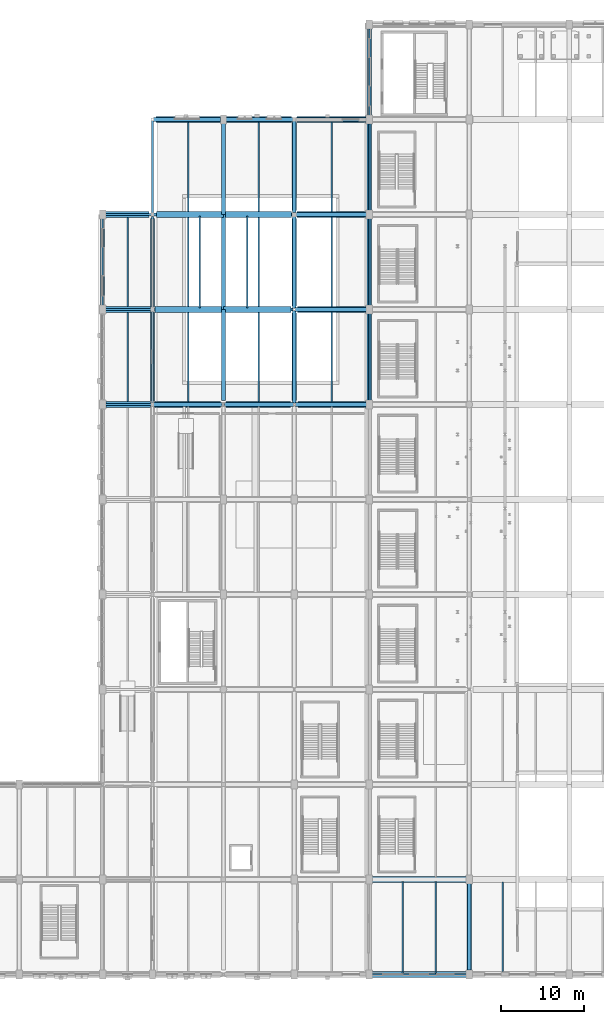
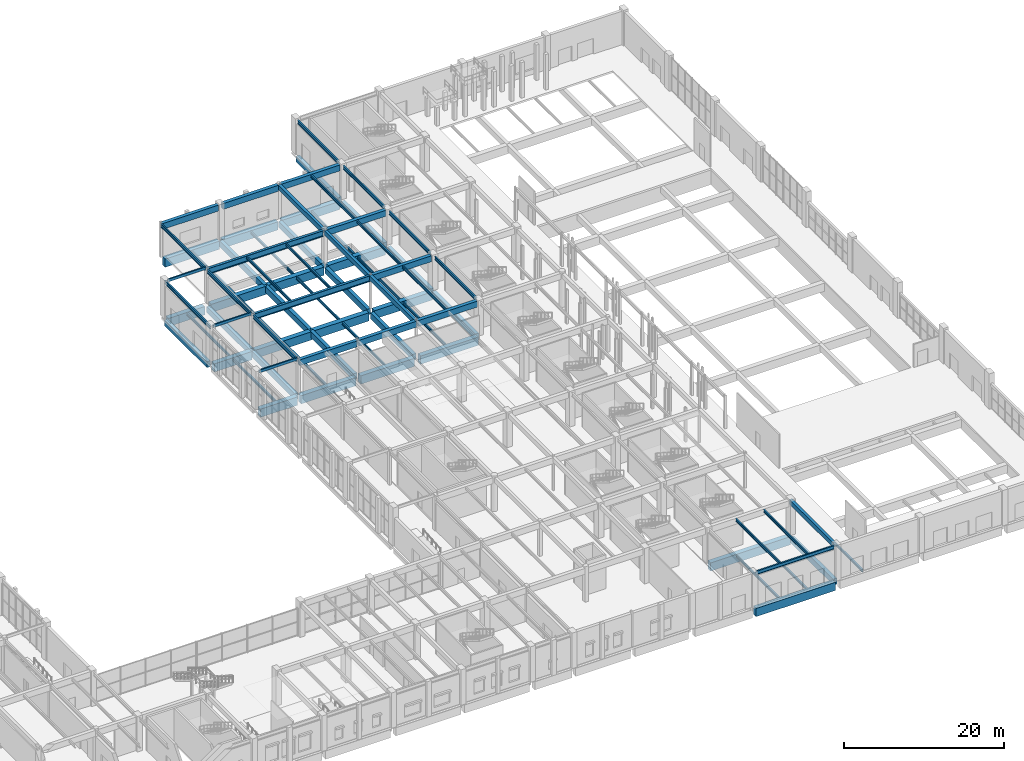
# One storey, part 56 of 113: 78 beams.
"""IFC4 building model written with IfcOpenShell, lengths in metres."""

from ifc_helpers import new_model, si_unit, direction, frame, origin, origin_2d, place, context, subcontext, project, spatial, rectangle, hollow_rectangle, i_section, extrude, material, material_profile, profile_set, type_object, element, save


model = new_model("IFC4")

# Units and contexts
model_context = context("Model", 3, precision=1e-05, world=origin(), true_north=direction((0.0, 1.0)))
body_context = subcontext(model_context, "Body", "Model", "MODEL_VIEW")
ifc_project = project(units=[si_unit("LENGTHUNIT", "METRE"), si_unit("AREAUNIT", "SQUARE_METRE"), si_unit("VOLUMEUNIT", "CUBIC_METRE"), si_unit("PLANEANGLEUNIT", "RADIAN"), si_unit("MASSUNIT", "GRAM", prefix="KILO"), si_unit("POWERUNIT", "WATT"), si_unit("THERMODYNAMICTEMPERATUREUNIT", "KELVIN")], contexts=[model_context])

# Site, building, storey
site_placement = place(None, origin())
site = spatial("IfcSite", under=ifc_project, at=site_placement, CompositionType="ELEMENT")
building_placement = place(site_placement, origin())
building = spatial("IfcBuilding", under=site, at=building_placement, Name="Kelmbourne Parkland Aquatics Centre", CompositionType="ELEMENT")
storey_placement = place(building_placement, origin())
storey = spatial("IfcBuildingStorey", under=building, at=storey_placement, Name="L00", CompositionType="ELEMENT", Elevation=0.0)

# Beams
ifc_material_1 = material(Name="Concrete C40/50", Category="concrete")
ifc_material_profile_1 = material_profile(ifc_material_1, rectangle(XDim=0.5, YDim=0.89990234375, at=origin_2d()), Name="RC 500x900")
ifc_profile_set_1 = profile_set([ifc_material_profile_1], Name="Concrete C40/50")
beam_type_1 = type_object("IfcBeamType", Name="BM-G03", PredefinedType="BEAM", material=ifc_profile_set_1)
beam_1_placement = place(storey_placement, frame((96.0, 81.10498046875, -0.72998046875), z_axis=(0.0, 1.0, 0.0), x_axis=(-1.0, 0.0, 0.0)))
element("IfcBeam", 1, at=beam_1_placement, inside=storey, type_object=beam_type_1, Name="Primary girder 11-12 Grid L (L00)", PredefinedType="BEAM", context=body_context, shape_type="SweptSolid", body=[
    extrude(rectangle(XDim=0.5, YDim=0.89990234375, at=origin_2d()), origin(), (0.0, 0.0, 1.0), 10.56494140625),
])
beam_2_placement = place(storey_placement, frame((102.0, 69.60498046875, -0.72998046875), z_axis=(0.0, 1.0, 0.0), x_axis=(-1.0, 0.0, 0.0)))
element("IfcBeam", 2, at=beam_2_placement, inside=storey, type_object=beam_type_1, Name="Primary girder 10-11 Grid M (L00)", PredefinedType="BEAM", context=body_context, shape_type="SweptSolid", body=[
    extrude(rectangle(XDim=0.5, YDim=0.89990234375, at=origin_2d()), origin(), (0.0, 0.0, 1.0), 10.715087890625),
])
beam_3_placement = place(storey_placement, frame((102.0, 80.8798828125, -0.72998046875), z_axis=(0.0, 1.0, 0.0), x_axis=(-1.0, 0.0, 0.0)))
element("IfcBeam", 3, at=beam_3_placement, inside=storey, type_object=beam_type_1, Name="Primary girder 11-12 Grid M (L00)", PredefinedType="BEAM", context=body_context, shape_type="SweptSolid", body=[
    extrude(rectangle(XDim=0.5, YDim=0.89990234375, at=origin_2d()), origin(), (0.0, 0.0, 1.0), 10.6650390625),
])
beam_4_placement = place(storey_placement, frame((110.5, 69.705078125, -0.72998046875), z_axis=(0.0, 1.0, 0.0), x_axis=(-1.0, 0.0, 0.0)))
element("IfcBeam", 4, at=beam_4_placement, inside=storey, type_object=beam_type_1, Name="Primary girder 10-11 Grid N (L00)", PredefinedType="BEAM", context=body_context, shape_type="SweptSolid", body=[
    extrude(rectangle(XDim=0.5, YDim=0.89990234375, at=origin_2d()), origin(), (0.0, 0.0, 1.0), 10.89501953125),
])
beam_5_placement = place(storey_placement, frame((110.5, 80.60009765625, -0.72998046875), z_axis=(0.0, 1.0, 0.0), x_axis=(-1.0, 0.0, 0.0)))
element("IfcBeam", 5, at=beam_5_placement, inside=storey, type_object=beam_type_1, Name="Primary girder 11-12 Grid N (L00)", PredefinedType="BEAM", context=body_context, shape_type="SweptSolid", body=[
    extrude(rectangle(XDim=0.5, YDim=0.89990234375, at=origin_2d()), origin(), (0.0, 0.0, 1.0), 11.39990234375),
])
beam_6_placement = place(storey_placement, frame((110.5, 92.0, -0.72998046875), z_axis=(0.0, 1.0, 0.0), x_axis=(-1.0, 0.0, 0.0)))
element("IfcBeam", 6, at=beam_6_placement, inside=storey, type_object=beam_type_1, Name="Primary girder 12-13 Grid N (L00)", PredefinedType="BEAM", context=body_context, shape_type="SweptSolid", body=[
    extrude(rectangle(XDim=0.5, YDim=0.89990234375, at=origin_2d()), origin(), (0.0, 0.0, 1.0), 11.1201171875),
])
beam_7_placement = place(storey_placement, frame((119.0, 69.655029296875, -0.72998046875), z_axis=(0.0, 1.0, 0.0), x_axis=(-1.0, 0.0, 0.0)))
element("IfcBeam", 7, at=beam_7_placement, inside=storey, type_object=beam_type_1, Name="Primary girder 10-11 Grid O (L00)", PredefinedType="BEAM", context=body_context, shape_type="SweptSolid", body=[
    extrude(rectangle(XDim=0.5, YDim=0.89990234375, at=origin_2d()), origin(), (0.0, 0.0, 1.0), 10.5400390625),
])
beam_8_placement = place(storey_placement, frame((119.0, 81.0048828125, -0.72998046875), z_axis=(0.0, 1.0, 0.0), x_axis=(-1.0, 0.0, 0.0)))
element("IfcBeam", 8, at=beam_8_placement, inside=storey, type_object=beam_type_1, Name="Primary girder 11-12 Grid O (L00)", PredefinedType="BEAM", context=body_context, shape_type="SweptSolid", body=[
    extrude(rectangle(XDim=0.5, YDim=0.89990234375, at=origin_2d()), origin(), (0.0, 0.0, 1.0), 10.490234375),
])
beam_9_placement = place(storey_placement, frame((119.0, 92.5048828125, -0.72998046875), z_axis=(0.0, 1.0, 0.0), x_axis=(-1.0, 0.0, 0.0)))
element("IfcBeam", 9, at=beam_9_placement, inside=storey, type_object=beam_type_1, Name="Primary girder 12-13 Grid O (L00)", PredefinedType="BEAM", context=body_context, shape_type="SweptSolid", body=[
    extrude(rectangle(XDim=0.5, YDim=0.89990234375, at=origin_2d()), origin(), (0.0, 0.0, 1.0), 10.565185546875),
])
beam_10_placement = place(storey_placement, frame((128.0, 69.60498046875, -0.72998046875), z_axis=(0.0, 1.0, 0.0), x_axis=(-1.0, 0.0, 0.0)))
element("IfcBeam", 10, at=beam_10_placement, inside=storey, type_object=beam_type_1, Name="Primary girder 10-11 Grid P (L00)", PredefinedType="BEAM", context=body_context, shape_type="SweptSolid", body=[
    extrude(rectangle(XDim=0.5, YDim=0.89990234375, at=origin_2d()), origin(), (0.0, 0.0, 1.0), 10.715087890625),
])
beam_11_placement = place(storey_placement, frame((128.0, 80.8798828125, -0.72998046875), z_axis=(0.0, 1.0, 0.0), x_axis=(-1.0, 0.0, 0.0)))
element("IfcBeam", 11, at=beam_11_placement, inside=storey, type_object=beam_type_1, Name="Primary girder 11-12 Grid P (L00)", PredefinedType="BEAM", context=body_context, shape_type="SweptSolid", body=[
    extrude(rectangle(XDim=0.5, YDim=0.89990234375, at=origin_2d()), origin(), (0.0, 0.0, 1.0), 10.6650390625),
])
beam_12_placement = place(storey_placement, frame((128.0, 92.455078125, -0.72998046875), z_axis=(0.0, 1.0, 0.0), x_axis=(-1.0, 0.0, 0.0)))
element("IfcBeam", 12, at=beam_12_placement, inside=storey, type_object=beam_type_1, Name="Primary girder 12-13 Grid P (L00)", PredefinedType="BEAM", context=body_context, shape_type="SweptSolid", body=[
    extrude(rectangle(XDim=0.5, YDim=0.89990234375, at=origin_2d()), origin(), (0.0, 0.0, 1.0), 10.5400390625),
])
beam_13_placement = place(storey_placement, frame((128.0, 103.804931640625, -0.72998046875), z_axis=(0.0, 1.0, 0.0), x_axis=(-1.0, 0.0, 0.0)))
element("IfcBeam", 13, at=beam_13_placement, inside=storey, type_object=beam_type_1, Name="Primary girder 13-14 Grid P (L00)", PredefinedType="BEAM", context=body_context, shape_type="SweptSolid", body=[
    extrude(rectangle(XDim=0.5, YDim=0.89990234375, at=origin_2d()), origin(), (0.0, 0.0, 1.0), 10.489990234375),
])
beam_14_placement = place(storey_placement, frame((140.0, 1.1298828125, -0.72998046875), z_axis=(0.0, 1.0, 0.0), x_axis=(-1.0, 0.0, 0.0)))
element("IfcBeam", 14, at=beam_14_placement, inside=storey, type_object=beam_type_1, Name="Primary girder 01-03 Grid Q (L00)", PredefinedType="BEAM", context=body_context, shape_type="SweptSolid", body=[
    extrude(rectangle(XDim=0.5, YDim=0.89990234375, at=origin_2d()), origin(), (0.0, 0.0, 1.0), 10.6650390625),
])
beam_15_placement = place(storey_placement, frame((102.1298828125, 69.199951171875, 4.7099609375), z_axis=(1.0, 0.0, 0.0), x_axis=(0.0, 1.0, 0.0)))
element("IfcBeam", 15, at=beam_15_placement, inside=storey, type_object=beam_type_1, Name="Primary girder M-N Grid 10 (L01)", PredefinedType="BEAM", context=body_context, shape_type="SweptSolid", body=[
    extrude(rectangle(XDim=0.5, YDim=0.89990234375, at=origin_2d()), origin(), (0.0, 0.0, 1.0), 8.215087890625),
])
beam_16_placement = place(storey_placement, frame((110.655029296875, 69.199951171875, 4.7099609375), z_axis=(1.0, 0.0, 0.0), x_axis=(0.0, 1.0, 0.0)))
element("IfcBeam", 16, at=beam_16_placement, inside=storey, type_object=beam_type_1, Name="Primary girder N-O Grid 10 (L01)", PredefinedType="BEAM", context=body_context, shape_type="SweptSolid", body=[
    extrude(rectangle(XDim=0.5, YDim=0.89990234375, at=origin_2d()), origin(), (0.0, 0.0, 1.0), 8.239990234375),
])
beam_17_placement = place(storey_placement, frame((119.10498046875, 69.199951171875, 4.7099609375), z_axis=(1.0, 0.0, 0.0), x_axis=(0.0, 1.0, 0.0)))
element("IfcBeam", 17, at=beam_17_placement, inside=storey, type_object=beam_type_1, Name="Primary girder O-P Grid 10 (L01)", PredefinedType="BEAM", context=body_context, shape_type="SweptSolid", body=[
    extrude(rectangle(XDim=0.5, YDim=0.89990234375, at=origin_2d()), origin(), (0.0, 0.0, 1.0), 8.56494140625),
])
beam_18_placement = place(storey_placement, frame((119.080078125, 80.60009765625, 4.7099609375), z_axis=(1.0, 0.0, 0.0), x_axis=(0.0, 1.0, 0.0)))
element("IfcBeam", 18, at=beam_18_placement, inside=storey, type_object=beam_type_1, Name="Primary girder O-P Grid 11 (L01)", PredefinedType="BEAM", context=body_context, shape_type="SweptSolid", body=[
    extrude(rectangle(XDim=0.5, YDim=0.89990234375, at=origin_2d()), origin(), (0.0, 0.0, 1.0), 8.58984375),
])
beam_19_placement = place(storey_placement, frame((119.22998046875, 92.0, 4.7099609375), z_axis=(1.0, 0.0, 0.0), x_axis=(0.0, 1.0, 0.0)))
element("IfcBeam", 19, at=beam_19_placement, inside=storey, type_object=beam_type_1, Name="Primary girder O-P Grid 12 (L01)", PredefinedType="BEAM", context=body_context, shape_type="SweptSolid", body=[
    extrude(rectangle(XDim=0.5, YDim=0.89990234375, at=origin_2d()), origin(), (0.0, 0.0, 1.0), 8.43994140625),
])
beam_20_placement = place(storey_placement, frame((102.10498046875, 103.39990234375, 4.7099609375), z_axis=(1.0, 0.0, 0.0), x_axis=(0.0, 1.0, 0.0)))
element("IfcBeam", 20, at=beam_20_placement, inside=storey, type_object=beam_type_1, Name="Primary girder M-N Grid 13 (L01)", PredefinedType="BEAM", context=body_context, shape_type="SweptSolid", body=[
    extrude(rectangle(XDim=0.5, YDim=0.89990234375, at=origin_2d()), origin(), (0.0, 0.0, 1.0), 8.06494140625),
])
beam_21_placement = place(storey_placement, frame((110.830078125, 103.39990234375, 4.7099609375), z_axis=(1.0, 0.0, 0.0), x_axis=(0.0, 1.0, 0.0)))
element("IfcBeam", 21, at=beam_21_placement, inside=storey, type_object=beam_type_1, Name="Primary girder N-O Grid 13 (L01)", PredefinedType="BEAM", context=body_context, shape_type="SweptSolid", body=[
    extrude(rectangle(XDim=0.5, YDim=0.89990234375, at=origin_2d()), origin(), (0.0, 0.0, 1.0), 7.989990234375),
])
beam_22_placement = place(storey_placement, frame((119.179931640625, 103.39990234375, 4.7099609375), z_axis=(1.0, 0.0, 0.0), x_axis=(0.0, 1.0, 0.0)))
element("IfcBeam", 22, at=beam_22_placement, inside=storey, type_object=beam_type_1, Name="Primary girder O-P Grid 13 (L01)", PredefinedType="BEAM", context=body_context, shape_type="SweptSolid", body=[
    extrude(rectangle(XDim=0.5, YDim=0.89990234375, at=origin_2d()), origin(), (0.0, 0.0, 1.0), 8.489990234375),
])
ifc_material_profile_2 = material_profile(ifc_material_1, rectangle(XDim=0.39990234375, YDim=0.699951171875, at=origin_2d()), Name="RC 400x700")
ifc_profile_set_2 = profile_set([ifc_material_profile_2], Name="Concrete C40/50")
beam_type_2 = type_object("IfcBeamType", Name="BM-G05", PredefinedType="BEAM", material=ifc_profile_set_2)
beam_23_placement = place(storey_placement, frame((119.0, 69.304931640625, 4.81005859375), z_axis=(0.0, 1.0, 0.0), x_axis=(-1.0, 0.0, 0.0)))
element("IfcBeam", 23, at=beam_23_placement, inside=storey, type_object=beam_type_2, Name="Primary girder 10-11 Grid O (L01)", PredefinedType="BEAM", context=body_context, shape_type="SweptSolid", body=[
    extrude(rectangle(XDim=0.39990234375, YDim=0.699951171875, at=origin_2d()), origin(), (0.0, 0.0, 1.0), 11.215087890625),
])
beam_24_placement = place(storey_placement, frame((119.0, 80.679931640625, 4.81005859375), z_axis=(0.0, 1.0, 0.0), x_axis=(-1.0, 0.0, 0.0)))
element("IfcBeam", 24, at=beam_24_placement, inside=storey, type_object=beam_type_2, Name="Primary girder 11-12 Grid O (L01)", PredefinedType="BEAM", context=body_context, shape_type="SweptSolid", body=[
    extrude(rectangle(XDim=0.39990234375, YDim=0.699951171875, at=origin_2d()), origin(), (0.0, 0.0, 1.0), 11.090087890625),
])
beam_25_placement = place(storey_placement, frame((119.0, 92.22998046875, 4.81005859375), z_axis=(0.0, 1.0, 0.0), x_axis=(-1.0, 0.0, 0.0)))
element("IfcBeam", 25, at=beam_25_placement, inside=storey, type_object=beam_type_2, Name="Primary girder 12-13 Grid O (L01)", PredefinedType="BEAM", context=body_context, shape_type="SweptSolid", body=[
    extrude(rectangle(XDim=0.39990234375, YDim=0.699951171875, at=origin_2d()), origin(), (0.0, 0.0, 1.0), 10.989990234375),
])
beam_26_placement = place(storey_placement, frame((140.0, 1.304931640625, 4.81005859375), z_axis=(0.0, 1.0, 0.0), x_axis=(-1.0, 0.0, 0.0)))
element("IfcBeam", 26, at=beam_26_placement, inside=storey, type_object=beam_type_2, Name="Primary girder 01-03 Grid Q (L01)", PredefinedType="BEAM", context=body_context, shape_type="SweptSolid", body=[
    extrude(rectangle(XDim=0.39990234375, YDim=0.699951171875, at=origin_2d()), origin(), (0.0, 0.0, 1.0), 10.89501953125),
])
ifc_material_2 = material(Name="Concrete C50/60", Category="concrete")
ifc_material_profile_3 = material_profile(ifc_material_2, rectangle(XDim=0.699951171875, YDim=1.25, at=origin_2d()), Name="RC 700x1250")
ifc_profile_set_3 = profile_set([ifc_material_profile_3], Name="Concrete C50/60")
beam_type_3 = type_object("IfcBeamType", Name="BM-G08", PredefinedType="BEAM", material=ifc_profile_set_3)
beam_27_placement = place(storey_placement, frame((128.2548828125, 0.800048828125, -0.905029296875), z_axis=(1.0, 0.0, 0.0), x_axis=(0.0, 1.0, 0.0)))
element("IfcBeam", 27, at=beam_27_placement, inside=storey, type_object=beam_type_3, Name="Primary girder P-Q Grid 01 (L00)", PredefinedType="BEAM", context=body_context, shape_type="SweptSolid", body=[
    extrude(rectangle(XDim=0.699951171875, YDim=1.25, at=origin_2d()), origin(), (0.0, 0.0, 1.0), 11.4150390625),
])
beam_28_placement = place(storey_placement, frame((128.280029296875, 12.199951171875, -0.905029296875), z_axis=(1.0, 0.0, 0.0), x_axis=(0.0, 1.0, 0.0)))
element("IfcBeam", 28, at=beam_28_placement, inside=storey, type_object=beam_type_3, Name="Primary girder P-Q Grid 03 (L00)", PredefinedType="BEAM", context=body_context, shape_type="SweptSolid", body=[
    extrude(rectangle(XDim=0.699951171875, YDim=1.25, at=origin_2d()), origin(), (0.0, 0.0, 1.0), 11.465087890625),
])
beam_29_placement = place(storey_placement, frame((96.405029296875, 69.199951171875, -0.905029296875), z_axis=(1.0, 0.0, 0.0), x_axis=(0.0, 1.0, 0.0)))
element("IfcBeam", 29, at=beam_29_placement, inside=storey, type_object=beam_type_3, Name="Primary girder L-M Grid 10 (L00)", PredefinedType="BEAM", context=body_context, shape_type="SweptSolid", body=[
    extrude(rectangle(XDim=0.699951171875, YDim=1.25, at=origin_2d()), origin(), (0.0, 0.0, 1.0), 5.340087890625),
])
beam_30_placement = place(storey_placement, frame((102.2548828125, 69.199951171875, -0.905029296875), z_axis=(1.0, 0.0, 0.0), x_axis=(0.0, 1.0, 0.0)))
element("IfcBeam", 30, at=beam_30_placement, inside=storey, type_object=beam_type_3, Name="Primary girder M-N Grid 10 (L00)", PredefinedType="BEAM", context=body_context, shape_type="SweptSolid", body=[
    extrude(rectangle(XDim=0.699951171875, YDim=1.25, at=origin_2d()), origin(), (0.0, 0.0, 1.0), 7.9150390625),
])
beam_31_placement = place(storey_placement, frame((110.830078125, 69.199951171875, -0.905029296875), z_axis=(1.0, 0.0, 0.0), x_axis=(0.0, 1.0, 0.0)))
element("IfcBeam", 31, at=beam_31_placement, inside=storey, type_object=beam_type_3, Name="Primary girder N-O Grid 10 (L00)", PredefinedType="BEAM", context=body_context, shape_type="SweptSolid", body=[
    extrude(rectangle(XDim=0.699951171875, YDim=1.25, at=origin_2d()), origin(), (0.0, 0.0, 1.0), 7.71484375),
])
beam_32_placement = place(storey_placement, frame((119.455078125, 69.199951171875, -0.905029296875), z_axis=(1.0, 0.0, 0.0), x_axis=(0.0, 1.0, 0.0)))
element("IfcBeam", 32, at=beam_32_placement, inside=storey, type_object=beam_type_3, Name="Primary girder O-P Grid 10 (L00)", PredefinedType="BEAM", context=body_context, shape_type="SweptSolid", body=[
    extrude(rectangle(XDim=0.699951171875, YDim=1.25, at=origin_2d()), origin(), (0.0, 0.0, 1.0), 8.2900390625),
])
beam_33_placement = place(storey_placement, frame((96.330078125, 80.60009765625, -0.905029296875), z_axis=(1.0, 0.0, 0.0), x_axis=(0.0, 1.0, 0.0)))
element("IfcBeam", 33, at=beam_33_placement, inside=storey, type_object=beam_type_3, Name="Primary girder L-M Grid 11 (L00)", PredefinedType="BEAM", context=body_context, shape_type="SweptSolid", body=[
    extrude(rectangle(XDim=0.699951171875, YDim=1.25, at=origin_2d()), origin(), (0.0, 0.0, 1.0), 5.389892578125),
])
beam_34_placement = place(storey_placement, frame((102.280029296875, 80.60009765625, -0.905029296875), z_axis=(1.0, 0.0, 0.0), x_axis=(0.0, 1.0, 0.0)))
element("IfcBeam", 34, at=beam_34_placement, inside=storey, type_object=beam_type_3, Name="Primary girder M-N Grid 11 (L00)", PredefinedType="BEAM", context=body_context, shape_type="SweptSolid", body=[
    extrude(rectangle(XDim=0.699951171875, YDim=1.25, at=origin_2d()), origin(), (0.0, 0.0, 1.0), 8.219970703125),
])
beam_35_placement = place(storey_placement, frame((110.5, 80.60009765625, -0.905029296875), z_axis=(1.0, 0.0, 0.0), x_axis=(0.0, 1.0, 0.0)))
element("IfcBeam", 35, at=beam_35_placement, inside=storey, type_object=beam_type_3, Name="Primary girder N-O Grid 11 (L00)", PredefinedType="BEAM", context=body_context, shape_type="SweptSolid", body=[
    extrude(rectangle(XDim=0.699951171875, YDim=1.25, at=origin_2d()), origin(), (0.0, 0.0, 1.0), 8.094970703125),
])
beam_36_placement = place(storey_placement, frame((119.405029296875, 80.60009765625, -0.905029296875), z_axis=(1.0, 0.0, 0.0), x_axis=(0.0, 1.0, 0.0)))
element("IfcBeam", 36, at=beam_36_placement, inside=storey, type_object=beam_type_3, Name="Primary girder O-P Grid 11 (L00)", PredefinedType="BEAM", context=body_context, shape_type="SweptSolid", body=[
    extrude(rectangle(XDim=0.699951171875, YDim=1.25, at=origin_2d()), origin(), (0.0, 0.0, 1.0), 8.31494140625),
])
beam_37_placement = place(storey_placement, frame((96.330078125, 92.0, -0.905029296875), z_axis=(1.0, 0.0, 0.0), x_axis=(0.0, 1.0, 0.0)))
element("IfcBeam", 37, at=beam_37_placement, inside=storey, type_object=beam_type_3, Name="Primary girder L-M Grid 12 (L00)", PredefinedType="BEAM", context=body_context, shape_type="SweptSolid", body=[
    extrude(rectangle(XDim=0.699951171875, YDim=1.25, at=origin_2d()), origin(), (0.0, 0.0, 1.0), 5.21484375),
])
beam_38_placement = place(storey_placement, frame((102.455078125, 92.0, -0.905029296875), z_axis=(1.0, 0.0, 0.0), x_axis=(0.0, 1.0, 0.0)))
element("IfcBeam", 38, at=beam_38_placement, inside=storey, type_object=beam_type_3, Name="Primary girder M-N Grid 12 (L00)", PredefinedType="BEAM", context=body_context, shape_type="SweptSolid", body=[
    extrude(rectangle(XDim=0.699951171875, YDim=1.25, at=origin_2d()), origin(), (0.0, 0.0, 1.0), 8.044921875),
])
beam_39_placement = place(storey_placement, frame((110.5, 92.0, -0.905029296875), z_axis=(1.0, 0.0, 0.0), x_axis=(0.0, 1.0, 0.0)))
element("IfcBeam", 39, at=beam_39_placement, inside=storey, type_object=beam_type_3, Name="Primary girder N-O Grid 12 (L00)", PredefinedType="BEAM", context=body_context, shape_type="SweptSolid", body=[
    extrude(rectangle(XDim=0.699951171875, YDim=1.25, at=origin_2d()), origin(), (0.0, 0.0, 1.0), 8.169921875),
])
beam_40_placement = place(storey_placement, frame((119.330078125, 92.0, -0.905029296875), z_axis=(1.0, 0.0, 0.0), x_axis=(0.0, 1.0, 0.0)))
element("IfcBeam", 40, at=beam_40_placement, inside=storey, type_object=beam_type_3, Name="Primary girder O-P Grid 12 (L00)", PredefinedType="BEAM", context=body_context, shape_type="SweptSolid", body=[
    extrude(rectangle(XDim=0.699951171875, YDim=1.25, at=origin_2d()), origin(), (0.0, 0.0, 1.0), 8.21484375),
])
beam_41_placement = place(storey_placement, frame((102.405029296875, 103.39990234375, -0.905029296875), z_axis=(1.0, 0.0, 0.0), x_axis=(0.0, 1.0, 0.0)))
element("IfcBeam", 41, at=beam_41_placement, inside=storey, type_object=beam_type_3, Name="Primary girder M-N Grid 13 (L00)", PredefinedType="BEAM", context=body_context, shape_type="SweptSolid", body=[
    extrude(rectangle(XDim=0.699951171875, YDim=1.25, at=origin_2d()), origin(), (0.0, 0.0, 1.0), 7.81494140625),
])
beam_42_placement = place(storey_placement, frame((110.780029296875, 103.39990234375, -0.905029296875), z_axis=(1.0, 0.0, 0.0), x_axis=(0.0, 1.0, 0.0)))
element("IfcBeam", 42, at=beam_42_placement, inside=storey, type_object=beam_type_3, Name="Primary girder N-O Grid 13 (L00)", PredefinedType="BEAM", context=body_context, shape_type="SweptSolid", body=[
    extrude(rectangle(XDim=0.699951171875, YDim=1.25, at=origin_2d()), origin(), (0.0, 0.0, 1.0), 7.889892578125),
])
beam_43_placement = place(storey_placement, frame((119.330078125, 103.39990234375, -0.905029296875), z_axis=(1.0, 0.0, 0.0), x_axis=(0.0, 1.0, 0.0)))
element("IfcBeam", 43, at=beam_43_placement, inside=storey, type_object=beam_type_3, Name="Primary girder O-P Grid 13 (L00)", PredefinedType="BEAM", context=body_context, shape_type="SweptSolid", body=[
    extrude(rectangle(XDim=0.699951171875, YDim=1.25, at=origin_2d()), origin(), (0.0, 0.0, 1.0), 8.264892578125),
])
ifc_material_3 = material(Name="Structural steel AS/NZS 3679.1 Grade 300", Category="steel")
ifc_material_profile_4 = material_profile(ifc_material_3, i_section(OverallWidth=0.177978515625, OverallDepth=0.406005859375, WebThickness=0.0078125, FlangeThickness=0.0126953125, at=origin_2d()), Name="410UB59.7")
ifc_profile_set_4 = profile_set([ifc_material_profile_4], Name="Structural steel AS/NZS 3679.1 Grade 300")
beam_type_4 = type_object("IfcBeamType", Name="BM-J01", PredefinedType="JOIST", material=ifc_profile_set_4)
for number, where, z_axis, x_axis, name in (
    (44, (99.0, 69.5419921875, -0.48291015625), (0.0, 1.0, 0.0), (-1.0, 0.0, 0.0), "Secondary floor joist L-M/10-11 #1 (L00)"),
    (45, (99.0, 80.94189453125, -0.48291015625), (0.0, 1.0, 0.0), (-1.0, 0.0, 0.0), "Secondary floor joist L-M/11-12 #1 (L00)"),
    (46, (106.25, 69.5419921875, -0.48291015625), (0.0, 1.0, 0.0), (-1.0, 0.0, 0.0), "Secondary floor joist M-N/10-11 #1 (L00)"),
    (47, (106.25, 80.94189453125, -0.48291015625), (0.0, 1.0, 0.0), (-1.0, 0.0, 0.0), "Secondary floor joist M-N/11-12 #1 (L00)"),
    (48, (106.25, 92.342041015625, -0.48291015625), (0.0, 1.0, 0.0), (-1.0, 0.0, 0.0), "Secondary floor joist M-N/12-13 #1 (L00)"),
    (49, (114.75, 69.5419921875, -0.48291015625), (0.0, 1.0, 0.0), (-1.0, 0.0, 0.0), "Secondary floor joist N-O/10-11 #1 (L00)"),
    (50, (114.75, 80.94189453125, -0.48291015625), (0.0, 1.0, 0.0), (-1.0, 0.0, 0.0), "Secondary floor joist N-O/11-12 #1 (L00)"),
    (51, (114.75, 92.342041015625, -0.48291015625), (0.0, 1.0, 0.0), (-1.0, 0.0, 0.0), "Secondary floor joist N-O/12-13 #1 (L00)"),
    (52, (123.5, 69.5419921875, -0.48291015625), (0.0, 1.0, 0.0), (-1.0, 0.0, 0.0), "Secondary floor joist O-P/10-11 #1 (L00)"),
    (53, (123.5, 80.94189453125, -0.48291015625), (0.0, 1.0, 0.0), (-1.0, 0.0, 0.0), "Secondary floor joist O-P/11-12 #1 (L00)"),
    (54, (123.5, 92.342041015625, -0.48291015625), (0.0, 1.0, 0.0), (-1.0, 0.0, 0.0), "Secondary floor joist O-P/12-13 #1 (L00)"),
):
    element("IfcBeam", number, at=place(storey_placement, frame(where, z_axis=z_axis, x_axis=x_axis)), inside=storey, type_object=beam_type_4, Name=name, PredefinedType="JOIST", context=body_context, shape_type="SweptSolid", body=[
        extrude(i_section(OverallWidth=0.177978515625, OverallDepth=0.406005859375, WebThickness=0.0078125, FlangeThickness=0.0126953125, at=origin_2d()), origin(), (0.0, 0.0, 1.0), 10.716064453125),
    ])
for number, where, z_axis, x_axis, name in (
    (55, (132.0, 1.14208984375, -0.48291015625), (0.0, 1.0, 0.0), (-1.0, 0.0, 0.0), "Secondary floor joist P-Q/01-03 #1 (L00)"),
    (56, (136.0, 1.14208984375, -0.48291015625), (0.0, 1.0, 0.0), (-1.0, 0.0, 0.0), "Secondary floor joist P-Q/01-03 #2 (L00)"),
    (57, (144.0, 1.14208984375, -0.48291015625), (0.0, 1.0, 0.0), (-1.0, 0.0, 0.0), "Secondary floor joist Q-R/01-03 #1 (L00)"),
):
    element("IfcBeam", number, at=place(storey_placement, frame(where, z_axis=z_axis, x_axis=x_axis)), inside=storey, type_object=beam_type_4, Name=name, PredefinedType="JOIST", context=body_context, shape_type="SweptSolid", body=[
        extrude(i_section(OverallWidth=0.177978515625, OverallDepth=0.406005859375, WebThickness=0.0078125, FlangeThickness=0.0126953125, at=origin_2d()), origin(), (0.0, 0.0, 1.0), 10.7158203125),
    ])
for number, where, z_axis, x_axis, name in (
    (58, (107.666748046875, 80.76708984375, 4.95703125), (0.0, 1.0, 0.0), (-1.0, 0.0, 0.0), "Secondary floor joist M-O/11-12 #1 (L01)"),
    (59, (113.333251953125, 80.76708984375, 4.95703125), (0.0, 1.0, 0.0), (-1.0, 0.0, 0.0), "Secondary floor joist M-O/11-12 #2 (L01)"),
):
    element("IfcBeam", number, at=place(storey_placement, frame(where, z_axis=z_axis, x_axis=x_axis)), inside=storey, type_object=beam_type_4, Name=name, PredefinedType="JOIST", context=body_context, shape_type="SweptSolid", body=[
        extrude(i_section(OverallWidth=0.177978515625, OverallDepth=0.406005859375, WebThickness=0.0078125, FlangeThickness=0.0126953125, at=origin_2d()), origin(), (0.0, 0.0, 1.0), 11.06591796875),
    ])
for number, where, z_axis, x_axis, name in (
    (60, (123.5, 69.44189453125, 4.95703125), (0.0, 1.0, 0.0), (-1.0, 0.0, 0.0), "Secondary floor joist O-P/10-11 #1 (L01)"),
    (61, (123.5, 80.842041015625, 4.95703125), (0.0, 1.0, 0.0), (-1.0, 0.0, 0.0), "Secondary floor joist O-P/11-12 #1 (L01)"),
    (62, (123.5, 92.241943359375, 4.95703125), (0.0, 1.0, 0.0), (-1.0, 0.0, 0.0), "Secondary floor joist O-P/12-13 #1 (L01)"),
):
    element("IfcBeam", number, at=place(storey_placement, frame(where, z_axis=z_axis, x_axis=x_axis)), inside=storey, type_object=beam_type_4, Name=name, PredefinedType="JOIST", context=body_context, shape_type="SweptSolid", body=[
        extrude(i_section(OverallWidth=0.177978515625, OverallDepth=0.406005859375, WebThickness=0.0078125, FlangeThickness=0.0126953125, at=origin_2d()), origin(), (0.0, 0.0, 1.0), 10.916015625),
    ])
for number, where, z_axis, x_axis, name in (
    (63, (132.0, 0.896484375, 4.95703125), (0.0, 1.0, 0.0), (-1.0, 0.0, 0.0), "Secondary floor joist P-Q/01-03 #1 (L01)"),
    (64, (136.0, 0.896484375, 4.95703125), (0.0, 1.0, 0.0), (-1.0, 0.0, 0.0), "Secondary floor joist P-Q/01-03 #2 (L01)"),
):
    element("IfcBeam", number, at=place(storey_placement, frame(where, z_axis=z_axis, x_axis=x_axis)), inside=storey, type_object=beam_type_4, Name=name, PredefinedType="JOIST", context=body_context, shape_type="SweptSolid", body=[
        extrude(i_section(OverallWidth=0.177978515625, OverallDepth=0.406005859375, WebThickness=0.0078125, FlangeThickness=0.0126953125, at=origin_2d()), origin(), (0.0, 0.0, 1.0), 11.0615234375),
    ])
ifc_material_4 = material(Name="Welded plate steel AS/NZS 3678 Grade 350", Category="steel")
ifc_material_profile_5 = material_profile(ifc_material_4, i_section(OverallWidth=0.35009765625, OverallDepth=0.909912109375, WebThickness=0.011962890625, FlangeThickness=0.02490234375, at=origin_2d()), Name="900WB218")
ifc_profile_set_5 = profile_set([ifc_material_profile_5], Name="Welded plate steel AS/NZS 3678 Grade 350")
beam_type_5 = type_object("IfcBeamType", Name="BM-S09", PredefinedType="BEAM", material=ifc_profile_set_5)
beam_44_placement = place(storey_placement, frame((102.179931640625, 80.60009765625, 4.705078125), z_axis=(1.0, 0.0, 0.0), x_axis=(0.0, 1.0, 0.0)))
element("IfcBeam", 65, at=beam_44_placement, inside=storey, type_object=beam_type_5, Name="Primary girder M-O Grid 11 (L01)", PredefinedType="BEAM", context=body_context, shape_type="SweptSolid", body=[
    extrude(i_section(OverallWidth=0.35009765625, OverallDepth=0.909912109375, WebThickness=0.011962890625, FlangeThickness=0.02490234375, at=origin_2d()), origin(), (0.0, 0.0, 1.0), 16.739990234375),
])
beam_45_placement = place(storey_placement, frame((102.1298828125, 92.0, 4.705078125), z_axis=(1.0, 0.0, 0.0), x_axis=(0.0, 1.0, 0.0)))
element("IfcBeam", 66, at=beam_45_placement, inside=storey, type_object=beam_type_5, Name="Primary girder M-O Grid 12 (L01)", PredefinedType="BEAM", context=body_context, shape_type="SweptSolid", body=[
    extrude(i_section(OverallWidth=0.35009765625, OverallDepth=0.909912109375, WebThickness=0.011962890625, FlangeThickness=0.02490234375, at=origin_2d()), origin(), (0.0, 0.0, 1.0), 16.64013671875),
])
ifc_material_profile_6 = material_profile(ifc_material_3, i_section(OverallWidth=0.208984375, OverallDepth=0.532958984375, WebThickness=0.01025390625, FlangeThickness=0.015625, at=origin_2d()), Name="530UB92.4")
ifc_profile_set_6 = profile_set([ifc_material_profile_6], Name="Structural steel AS/NZS 3679.1 Grade 300")
beam_type_6 = type_object("IfcBeamType", Name="BM-SP02", PredefinedType="SPANDREL", material=ifc_profile_set_6)
beam_46_placement = place(storey_placement, frame((128.330078125, 0.800048828125, 4.8935546875), z_axis=(1.0, 0.0, 0.0), x_axis=(0.0, 1.0, 0.0)))
element("IfcBeam", 67, at=beam_46_placement, inside=storey, type_object=beam_type_6, Name="Perimeter spandrel P-Q Grid 01 (L01)", PredefinedType="SPANDREL", context=body_context, shape_type="SweptSolid", body=[
    extrude(i_section(OverallWidth=0.208984375, OverallDepth=0.532958984375, WebThickness=0.01025390625, FlangeThickness=0.015625, at=origin_2d()), origin(), (0.0, 0.0, 1.0), 11.33984375),
])
for number, where, z_axis, x_axis, name in (
    (68, (102.0, 69.405029296875, 4.8935546875), (0.0, 1.0, 0.0), (-1.0, 0.0, 0.0), "Perimeter spandrel 10-11 Grid M (L01)"),
    (69, (102.0, 80.85498046875, 4.8935546875), (0.0, 1.0, 0.0), (-1.0, 0.0, 0.0), "Perimeter spandrel 11-12 Grid M (L01)"),
):
    element("IfcBeam", number, at=place(storey_placement, frame(where, z_axis=z_axis, x_axis=x_axis)), inside=storey, type_object=beam_type_6, Name=name, PredefinedType="SPANDREL", context=body_context, shape_type="SweptSolid", body=[
        extrude(i_section(OverallWidth=0.208984375, OverallDepth=0.532958984375, WebThickness=0.01025390625, FlangeThickness=0.015625, at=origin_2d()), origin(), (0.0, 0.0, 1.0), 10.93994140625),
    ])
beam_47_placement = place(storey_placement, frame((102.0, 92.205078125, 4.8935546875), z_axis=(0.0, 1.0, 0.0), x_axis=(-1.0, 0.0, 0.0)))
element("IfcBeam", 70, at=beam_47_placement, inside=storey, type_object=beam_type_6, Name="Perimeter spandrel 12-13 Grid M (L01)", PredefinedType="SPANDREL", context=body_context, shape_type="SweptSolid", body=[
    extrude(i_section(OverallWidth=0.208984375, OverallDepth=0.532958984375, WebThickness=0.01025390625, FlangeThickness=0.015625, at=origin_2d()), origin(), (0.0, 0.0, 1.0), 11.08984375),
])
beam_48_placement = place(storey_placement, frame((128.0, 69.705078125, 4.8935546875), z_axis=(0.0, 1.0, 0.0), x_axis=(-1.0, 0.0, 0.0)))
element("IfcBeam", 71, at=beam_48_placement, inside=storey, type_object=beam_type_6, Name="Perimeter spandrel 10-11 Grid P (L01)", PredefinedType="SPANDREL", context=body_context, shape_type="SweptSolid", body=[
    extrude(i_section(OverallWidth=0.208984375, OverallDepth=0.532958984375, WebThickness=0.01025390625, FlangeThickness=0.015625, at=origin_2d()), origin(), (0.0, 0.0, 1.0), 10.389892578125),
])
for number, where, z_axis, x_axis, name in (
    (72, (128.0, 81.10498046875, 4.8935546875), (0.0, 1.0, 0.0), (-1.0, 0.0, 0.0), "Perimeter spandrel 11-12 Grid P (L01)"),
    (73, (128.0, 92.5048828125, 4.8935546875), (0.0, 1.0, 0.0), (-1.0, 0.0, 0.0), "Perimeter spandrel 12-13 Grid P (L01)"),
):
    element("IfcBeam", number, at=place(storey_placement, frame(where, z_axis=z_axis, x_axis=x_axis)), inside=storey, type_object=beam_type_6, Name=name, PredefinedType="SPANDREL", context=body_context, shape_type="SweptSolid", body=[
        extrude(i_section(OverallWidth=0.208984375, OverallDepth=0.532958984375, WebThickness=0.01025390625, FlangeThickness=0.015625, at=origin_2d()), origin(), (0.0, 0.0, 1.0), 10.39013671875),
    ])
beam_49_placement = place(storey_placement, frame((128.0, 103.905029296875, 4.8935546875), z_axis=(0.0, 1.0, 0.0), x_axis=(-1.0, 0.0, 0.0)))
element("IfcBeam", 74, at=beam_49_placement, inside=storey, type_object=beam_type_6, Name="Perimeter spandrel 13-14 Grid P (L01)", PredefinedType="SPANDREL", context=body_context, shape_type="SweptSolid", body=[
    extrude(i_section(OverallWidth=0.208984375, OverallDepth=0.532958984375, WebThickness=0.01025390625, FlangeThickness=0.015625, at=origin_2d()), origin(), (0.0, 0.0, 1.0), 10.389892578125),
])
beam_50_placement = place(storey_placement, frame((96.0, 80.60009765625, 5.2333984375), z_axis=(0.0, 1.0, 0.0), x_axis=(-1.0, 0.0, 0.0)))
element("IfcBeam", 75, at=beam_50_placement, inside=storey, type_object=beam_type_6, Name="Perimeter spandrel 11-12 Grid L (L01_COL)", PredefinedType="SPANDREL", context=body_context, shape_type="SweptSolid", body=[
    extrude(i_section(OverallWidth=0.208984375, OverallDepth=0.532958984375, WebThickness=0.01025390625, FlangeThickness=0.015625, at=origin_2d()), origin(), (0.0, 0.0, 1.0), 11.39990234375),
])
ifc_material_5 = material(Name="Cold-formed hollow steel AS/NZS 1163 C350L0", Category="steel")
ifc_material_profile_7 = material_profile(ifc_material_5, hollow_rectangle(XDim=0.199951171875, YDim=0.39990234375, WallThickness=0.012451171875, at=origin_2d()), Name="RHS 400x200x12.5")
ifc_profile_set_7 = profile_set([ifc_material_profile_7], Name="Cold-formed hollow steel AS/NZS 1163 C350L0")
beam_type_7 = type_object("IfcBeamType", Name="BM-SP03", PredefinedType="SPANDREL", material=ifc_profile_set_7)
beam_51_placement = place(storey_placement, frame((96.330078125, 69.199951171875, 5.300048828125), z_axis=(1.0, 0.0, 0.0), x_axis=(0.0, 1.0, 0.0)))
element("IfcBeam", 76, at=beam_51_placement, inside=storey, type_object=beam_type_7, Name="Colonnade cross spandrel L-M Grid 10", PredefinedType="SPANDREL", context=body_context, shape_type="SweptSolid", body=[
    extrude(hollow_rectangle(XDim=0.199951171875, YDim=0.39990234375, WallThickness=0.012451171875, at=origin_2d()), origin(), (0.0, 0.0, 1.0), 5.5400390625),
])
beam_52_placement = place(storey_placement, frame((96.330078125, 80.60009765625, 5.300048828125), z_axis=(1.0, 0.0, 0.0), x_axis=(0.0, 1.0, 0.0)))
element("IfcBeam", 77, at=beam_52_placement, inside=storey, type_object=beam_type_7, Name="Colonnade cross spandrel L-M Grid 11", PredefinedType="SPANDREL", context=body_context, shape_type="SweptSolid", body=[
    extrude(hollow_rectangle(XDim=0.199951171875, YDim=0.39990234375, WallThickness=0.012451171875, at=origin_2d()), origin(), (0.0, 0.0, 1.0), 5.489990234375),
])
beam_53_placement = place(storey_placement, frame((96.330078125, 92.0, 5.300048828125), z_axis=(1.0, 0.0, 0.0), x_axis=(0.0, 1.0, 0.0)))
element("IfcBeam", 78, at=beam_53_placement, inside=storey, type_object=beam_type_7, Name="Colonnade cross spandrel L-M Grid 12", PredefinedType="SPANDREL", context=body_context, shape_type="SweptSolid", body=[
    extrude(hollow_rectangle(XDim=0.199951171875, YDim=0.39990234375, WallThickness=0.012451171875, at=origin_2d()), origin(), (0.0, 0.0, 1.0), 5.5400390625),
])

save(model, "model.ifc")
